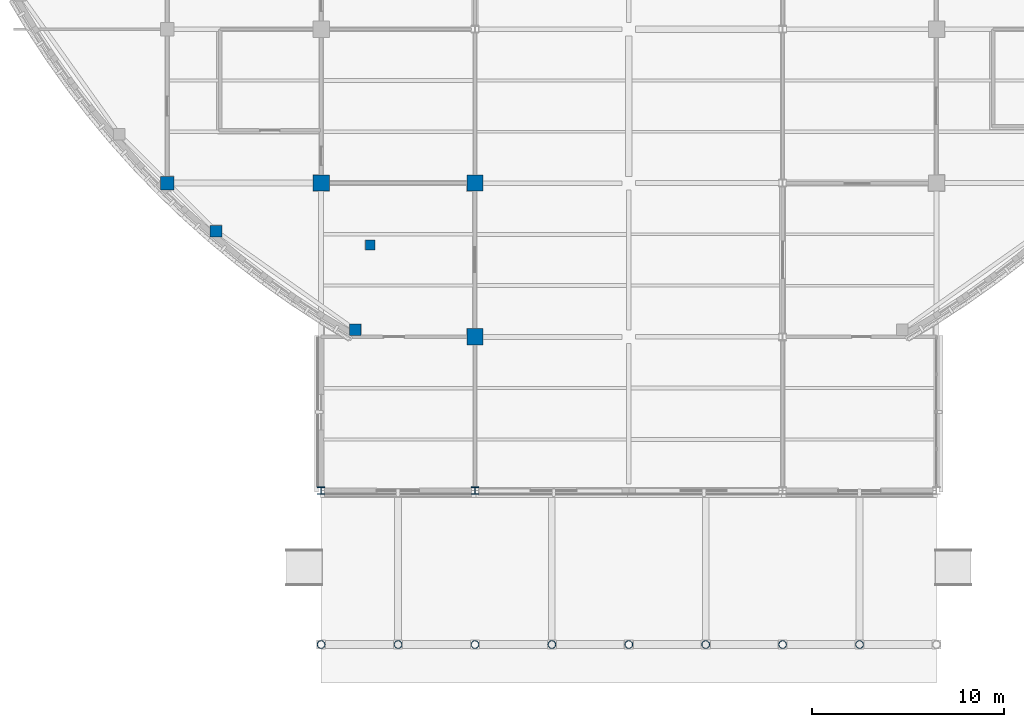
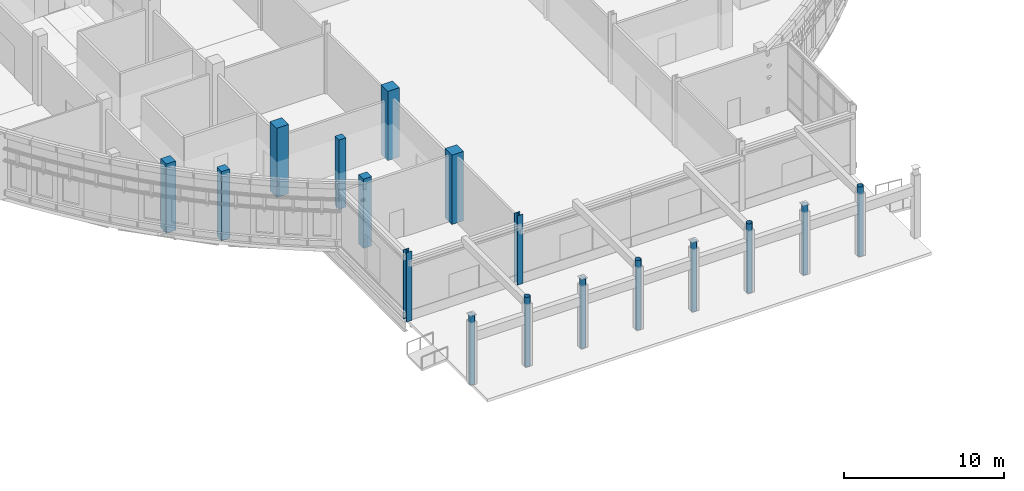
# One storey, part 2 of 105: 17 columns.
"""IFC4 building model written with IfcOpenShell, lengths in metres."""

from ifc_helpers import new_model, si_unit, derived_unit, direction, frame, origin, origin_2d, place, context, subcontext, project, spatial, rectangle, hollow_circle, i_section, extrude, material, material_profile, profile_set, type_object, element, save


model = new_model("IFC4")

# Units and contexts
model_context = context("Model", 3, precision=1e-05, world=origin(), true_north=direction((0.0, 1.0)))
body_context = subcontext(model_context, "Body", "Model", "MODEL_VIEW")
ifc_project = project(units=[si_unit("LENGTHUNIT", "METRE"), si_unit("AREAUNIT", "SQUARE_METRE"), si_unit("VOLUMEUNIT", "CUBIC_METRE"), si_unit("PLANEANGLEUNIT", "RADIAN"), si_unit("MASSUNIT", "GRAM", prefix="KILO"), derived_unit("THERMALTRANSMITTANCEUNIT", [(si_unit("MASSUNIT", "GRAM", prefix="KILO"), 1), (si_unit("TIMEUNIT", "SECOND"), -3), (si_unit("THERMODYNAMICTEMPERATUREUNIT", "KELVIN"), -1)])], contexts=[model_context])

# Site, building, storey
site_placement = place(None, origin())
site = spatial("IfcSite", under=ifc_project, at=site_placement, CompositionType="ELEMENT")
building_placement = place(site_placement, origin())
building = spatial("IfcBuilding", under=site, at=building_placement, Name="Veyamyaing Civic Hall", CompositionType="ELEMENT")
storey_placement = place(building_placement, origin())
storey = spatial("IfcBuildingStorey", under=building, at=storey_placement, Name="L00", CompositionType="ELEMENT", Elevation=0.0)

# Columns
ifc_material_1 = material(Name="Concrete C45/55", Category="concrete")
ifc_material_profile_1 = material_profile(ifc_material_1, rectangle(XDim=0.85009765625, YDim=0.85009765625, at=origin_2d()), Name="RC-COL-850X850")
ifc_profile_set_1 = profile_set([ifc_material_profile_1], Name="Concrete C45/55")
column_type_1 = type_object("IfcColumnType", Name="C-01", PredefinedType="COLUMN", material=ifc_profile_set_1)
for number, where, z_axis, x_axis, name in (
    (1, (72.0, 24.0, 0.0), (0.0, 0.0, 1.0), (1.0, 0.0, 0.0), "Column C-01 10-D L00"),
    (2, (80.0, 16.0, 0.0), (0.0, 0.0, 1.0), (1.0, 0.0, 0.0), "Column C-01 11-C L00"),
    (3, (80.0, 24.0, 0.0), (0.0, 0.0, 1.0), (1.0, 0.0, 0.0), "Column C-01 11-D L00"),
):
    element("IfcColumn", number, at=place(storey_placement, frame(where, z_axis=z_axis, x_axis=x_axis)), inside=storey, type_object=column_type_1, Name=name, PredefinedType="COLUMN", context=body_context, shape_type="SweptSolid", body=[
        extrude(rectangle(XDim=0.85009765625, YDim=0.85009765625, at=origin_2d()), origin(), (0.0, 0.0, 1.0), 5.280029296875),
    ])
ifc_material_profile_2 = material_profile(ifc_material_1, rectangle(XDim=0.699951171875, YDim=0.699951171875, at=origin_2d()), Name="RC-COL-700X700")
ifc_profile_set_2 = profile_set([ifc_material_profile_2], Name="Concrete C45/55")
column_type_2 = type_object("IfcColumnType", Name="C-04", PredefinedType="COLUMN", material=ifc_profile_set_2)
column_1_placement = place(storey_placement, frame((64.0, 24.0, 0.0), z_axis=(0.0, 0.0, 1.0), x_axis=(1.0, 0.0, 0.0)))
element("IfcColumn", 4, at=column_1_placement, inside=storey, type_object=column_type_2, Name="Column C-04 9-D L00", PredefinedType="COLUMN", context=body_context, shape_type="SweptSolid", body=[
    extrude(rectangle(XDim=0.699951171875, YDim=0.699951171875, at=origin_2d()), origin(), (0.0, 0.0, 1.0), 5.280029296875),
])
ifc_material_profile_3 = material_profile(ifc_material_1, rectangle(XDim=0.60009765625, YDim=0.60009765625, at=origin_2d()), Name="RC-COL-600X600")
ifc_profile_set_3 = profile_set([ifc_material_profile_3], Name="Concrete C45/55")
column_type_3 = type_object("IfcColumnType", Name="C-06", PredefinedType="COLUMN", material=ifc_profile_set_3)
for number, where, z_axis, x_axis, name in (
    (5, (66.533447265625, 21.5048828125, 0.0), (0.0, 0.0, 1.0), (1.0, 0.0, 0.0), "Curved corner column C-06 ARC-SW-09 L00"),
    (6, (73.779296875, 16.36376953125, 0.0), (0.0, 0.0, 1.0), (1.0, 0.0, 0.0), "Curved corner column C-06 ARC-SW-14 L00"),
):
    element("IfcColumn", number, at=place(storey_placement, frame(where, z_axis=z_axis, x_axis=x_axis)), inside=storey, type_object=column_type_3, Name=name, PredefinedType="COLUMN", context=body_context, shape_type="SweptSolid", body=[
        extrude(rectangle(XDim=0.60009765625, YDim=0.60009765625, at=origin_2d()), origin(), (0.0, 0.0, 1.0), 5.280029296875),
    ])
ifc_material_2 = material(Name="Steel S355J2", Category="steel")
ifc_material_profile_4 = material_profile(ifc_material_2, i_section(OverallWidth=0.39794921875, OverallDepth=0.386962890625, WebThickness=0.02099609375, FlangeThickness=0.033203125, FilletRadius=0.014892578125, at=origin_2d()), Name="W360X262")
ifc_profile_set_4 = profile_set([ifc_material_profile_4], Name="Steel S355J2")
column_type_4 = type_object("IfcColumnType", Name="C-08", PredefinedType="COLUMN", material=ifc_profile_set_4)
for number, where, z_axis, x_axis, name in (
    (7, (72.0, 8.0, 0.0), (0.0, 0.0, 1.0), (1.0, 0.0, 0.0), "Column C-08 10-B L00"),
    (8, (80.0, 8.0, 0.0), (0.0, 0.0, 1.0), (1.0, 0.0, 0.0), "Column C-08 11-B L00"),
):
    element("IfcColumn", number, at=place(storey_placement, frame(where, z_axis=z_axis, x_axis=x_axis)), inside=storey, type_object=column_type_4, Name=name, PredefinedType="COLUMN", context=body_context, shape_type="SweptSolid", body=[
        extrude(i_section(OverallWidth=0.39794921875, OverallDepth=0.386962890625, WebThickness=0.02099609375, FlangeThickness=0.033203125, FilletRadius=0.014892578125, at=origin_2d()), origin(), (0.0, 0.0, 1.0), 5.280029296875),
    ])
ifc_material_profile_5 = material_profile(ifc_material_2, hollow_circle(Radius=0.203125, WallThickness=0.0126953125, at=origin_2d()), Name="CHS406X12.7")
ifc_profile_set_5 = profile_set([ifc_material_profile_5], Name="Steel S355J2")
column_type_5 = type_object("IfcColumnType", Name="C-11", PredefinedType="COLUMN", material=ifc_profile_set_5)
for number, where, z_axis, x_axis, name in (
    (9, (72.0, 0.0, 0.0), (0.0, 0.0, 1.0), (1.0, 0.0, 0.0), "Column C-11 10-A L00"),
    (10, (80.0, 0.0, 0.0), (0.0, 0.0, 1.0), (1.0, 0.0, 0.0), "Column C-11 11-A L00"),
    (11, (88.0, 0.0, 0.0), (0.0, 0.0, 1.0), (1.0, 0.0, 0.0), "Column C-11 12-A L00"),
    (12, (96.0, 0.0, 0.0), (0.0, 0.0, 1.0), (1.0, 0.0, 0.0), "Column C-11 13-A L00"),
    (13, (76.0, 0.0, 0.0), (0.0, 0.0, 1.0), (1.0, 0.0, 0.0), "Arcade pilaster C-11 PCOL-MID-1 L00"),
    (14, (84.0, 0.0, 0.0), (0.0, 0.0, 1.0), (1.0, 0.0, 0.0), "Arcade pilaster C-11 PCOL-MID-2 L00"),
    (15, (92.0, 0.0, 0.0), (0.0, 0.0, 1.0), (1.0, 0.0, 0.0), "Arcade pilaster C-11 PCOL-MID-3 L00"),
    (16, (100.0, 0.0, 0.0), (0.0, 0.0, 1.0), (1.0, 0.0, 0.0), "Arcade pilaster C-11 PCOL-MID-4 L00"),
):
    element("IfcColumn", number, at=place(storey_placement, frame(where, z_axis=z_axis, x_axis=x_axis)), inside=storey, type_object=column_type_5, Name=name, PredefinedType="COLUMN", context=body_context, shape_type="SweptSolid", body=[
        extrude(hollow_circle(Radius=0.203125, WallThickness=0.0126953125, at=origin_2d()), origin(), (0.0, 0.0, 1.0), 5.280029296875),
    ])
ifc_material_profile_6 = material_profile(ifc_material_1, rectangle(XDim=0.5, YDim=0.5, at=origin_2d()), Name="RC-COL-500X500")
ifc_profile_set_6 = profile_set([ifc_material_profile_6], Name="Concrete C45/55")
column_type_6 = type_object("IfcColumnType", Name="C-15", PredefinedType="COLUMN", material=ifc_profile_set_6)
column_2_placement = place(storey_placement, frame((74.550048828125, 20.780029296875, 0.0), z_axis=(0.0, 0.0, 1.0), x_axis=(1.0, 0.0, 0.0)))
element("IfcColumn", 17, at=column_2_placement, inside=storey, type_object=column_type_6, Name="Monumental stair landing column C-15 ST08-SW L00", PredefinedType="COLUMN", context=body_context, shape_type="SweptSolid", body=[
    extrude(rectangle(XDim=0.5, YDim=0.5, at=origin_2d()), origin(), (0.0, 0.0, 1.0), 5.280029296875),
])

save(model, "model.ifc")
